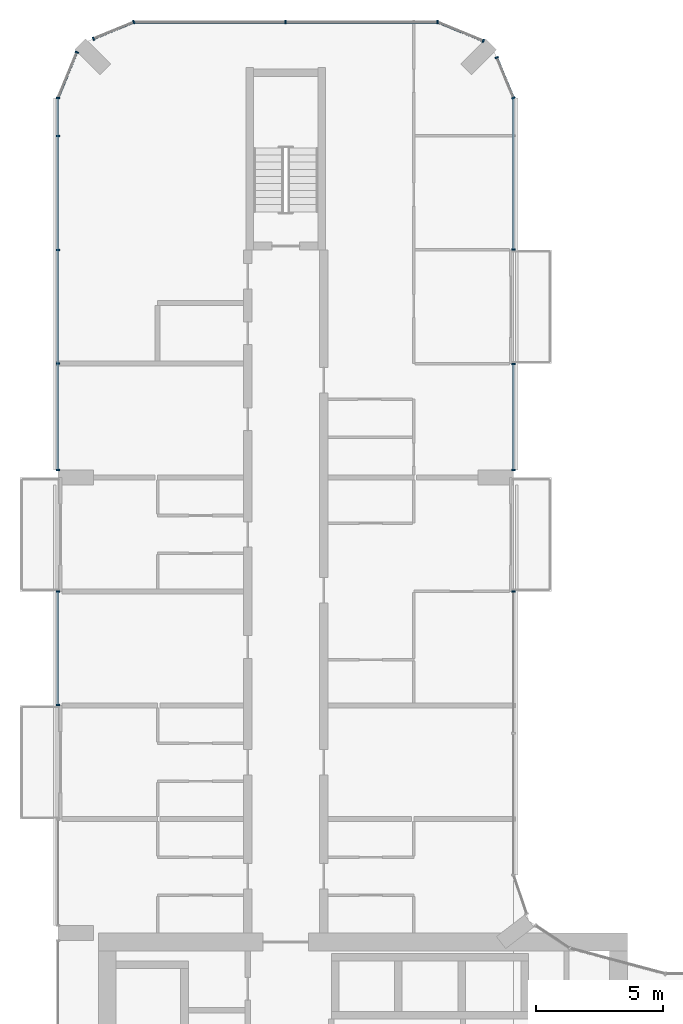
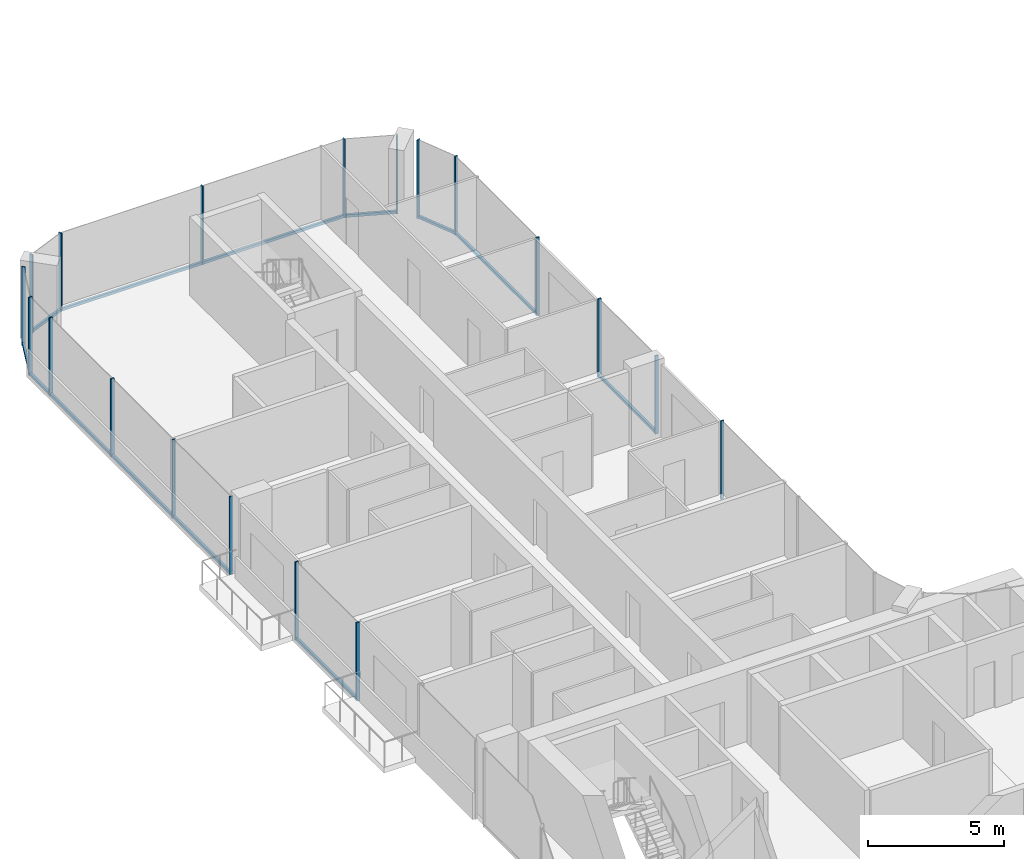
# One storey, part 6 of 23: 28 members, 10 elements without a shape of their own.
"""IFC4 building model written with IfcOpenShell, lengths in metres."""

from ifc_helpers import new_model, si_unit, direction, frame, origin, origin_2d, place, context, subcontext, project, spatial, rectangle, extrude, material, layer, layer_set, material_profile, profile_set, type_object, element, aggregate, save


model = new_model("IFC4")

# Units and contexts
model_context = context("Model", 3, precision=1e-05, world=origin(), true_north=direction((0.0, 1.0)))
body_context = subcontext(model_context, "Body", "Model", "MODEL_VIEW")
ifc_project = project(units=[si_unit("LENGTHUNIT", "METRE"), si_unit("AREAUNIT", "SQUARE_METRE"), si_unit("VOLUMEUNIT", "CUBIC_METRE"), si_unit("PLANEANGLEUNIT", "RADIAN"), si_unit("MASSUNIT", "GRAM", prefix="KILO")], contexts=[model_context])

# Site, building, storey
site_placement = place(None, origin())
site = spatial("IfcSite", under=ifc_project, at=site_placement, CompositionType="ELEMENT")
building_placement = place(site_placement, origin())
building = spatial("IfcBuilding", under=site, at=building_placement, Name="Plateau Cross Towers", CompositionType="ELEMENT")
storey_placement = place(building_placement, frame((0.0, 0.0, 88.800048828125)))
storey = spatial("IfcBuildingStorey", under=building, at=storey_placement, Name="L22", CompositionType="ELEMENT", Elevation=88.800048828125)

# Curtain wall, member
ifc_material_1 = material(Name="Dark low-iron glass", Category="glass")
ifc_layer = layer(ifc_material_1, 0.239990234375)
ifc_layer_set = layer_set([ifc_layer], Name="Dark low-iron glass")
curtain_wall_type = type_object("IfcCurtainWallType", Name="Curtain wall flush unitised CW-B", PredefinedType="NOTDEFINED", material=ifc_layer_set)
curtain_wall_1_placement = place(storey_placement, origin())
curtain_wall_1 = element("IfcCurtainWall", 1, at=curtain_wall_1_placement, inside=storey, type_object=curtain_wall_type, Name="ENV/A/L22/A180_203", PredefinedType="NOTDEFINED")
ifc_material_2 = material(Name="Black anodised aluminium", Category="aluminium")
ifc_material_profile_1 = material_profile(ifc_material_2, rectangle(XDim=0.06005859375, YDim=0.139892578125, at=origin_2d()), Name="MULLION 60x140")
ifc_profile_set_1 = profile_set([ifc_material_profile_1], Name="Black anodised aluminium")
member_type_1 = type_object("IfcMemberType", Name="Mullion 60x140 flush unitised", PredefinedType="MULLION", material=ifc_profile_set_1)
member_1_placement = place(storey_placement, frame((18.0, 31.489990234375, -0.25), z_axis=(0.0, 0.0, 1.0), x_axis=(0.0, 1.0, 0.0)))
member_1 = element("IfcMember", 2, at=member_1_placement, type_object=member_type_1, Name="CW-B mullion 3", PredefinedType="MULLION", context=body_context, shape_type="SweptSolid", body=[
    extrude(rectangle(XDim=0.06005859375, YDim=0.139892578125, at=origin_2d()), origin(), (0.0, 0.0, 1.0), 3.5),
])
aggregate(curtain_wall_1, [member_1])

# Curtain wall, members
curtain_wall_2_placement = place(storey_placement, origin())
curtain_wall_2 = element("IfcCurtainWall", 3, at=curtain_wall_2_placement, inside=storey, type_object=curtain_wall_type, Name="ENV/A/L22/A180_363", PredefinedType="NOTDEFINED")
member_2_placement = place(storey_placement, frame((18.0, 36.300048828125, -0.25), z_axis=(0.0, 0.0, 1.0), x_axis=(0.0, 1.0, 0.0)))
member_2 = element("IfcMember", 4, at=member_2_placement, type_object=member_type_1, Name="CW-B mullion 1", PredefinedType="MULLION", context=body_context, shape_type="SweptSolid", body=[
    extrude(rectangle(XDim=0.06005859375, YDim=0.139892578125, at=origin_2d()), origin(), (0.0, 0.0, 1.0), 3.5),
])
member_3_placement = place(storey_placement, frame((18.0, 40.489990234375, -0.25), z_axis=(0.0, 0.0, 1.0), x_axis=(0.0, 1.0, 0.0)))
member_3 = element("IfcMember", 5, at=member_3_placement, type_object=member_type_1, Name="CW-B mullion 2", PredefinedType="MULLION", context=body_context, shape_type="SweptSolid", body=[
    extrude(rectangle(XDim=0.06005859375, YDim=0.139892578125, at=origin_2d()), origin(), (0.0, 0.0, 1.0), 3.5),
])

# Curtain wall, member
curtain_wall_3_placement = place(storey_placement, origin())
curtain_wall_3 = element("IfcCurtainWall", 6, at=curtain_wall_3_placement, inside=storey, type_object=curtain_wall_type, Name="ENV/A/L22/A180_450", PredefinedType="NOTDEFINED")
member_4_placement = place(storey_placement, frame((18.0, 45.010009765625, -0.25), z_axis=(0.0, 0.0, 1.0), x_axis=(0.0, 1.0, 0.0)))
member_4 = element("IfcMember", 7, at=member_4_placement, type_object=member_type_1, Name="CW-B mullion 1", PredefinedType="MULLION", context=body_context, shape_type="SweptSolid", body=[
    extrude(rectangle(XDim=0.06005859375, YDim=0.139892578125, at=origin_2d()), origin(), (0.0, 0.0, 1.0), 3.5),
])

# Curtain wall, members
curtain_wall_4_placement = place(storey_placement, origin())
curtain_wall_4 = element("IfcCurtainWall", 8, at=curtain_wall_4_placement, inside=storey, type_object=curtain_wall_type, Name="ENV/A/L22/A180_510", PredefinedType="NOTDEFINED")
member_5_placement = place(storey_placement, frame((18.0, 51.0, -0.25), z_axis=(0.0, 0.0, 1.0), x_axis=(-0.382683612978, 0.923879457699, 0.0)))
member_5 = element("IfcMember", 9, at=member_5_placement, type_object=member_type_1, Name="CW-B mullion 1", PredefinedType="MULLION", context=body_context, shape_type="SweptSolid", body=[
    extrude(rectangle(XDim=0.06005859375, YDim=0.139892578125, at=origin_2d()), origin(), (0.0, 0.0, 1.0), 3.5),
])
member_6_placement = place(storey_placement, frame((17.338623046875, 52.5966796875, -0.25), z_axis=(0.0, 0.0, 1.0), x_axis=(-0.382683612978, 0.923879457699, 0.0)))
member_6 = element("IfcMember", 10, at=member_6_placement, type_object=member_type_1, Name="CW-B mullion 2", PredefinedType="MULLION", context=body_context, shape_type="SweptSolid", body=[
    extrude(rectangle(XDim=0.06005859375, YDim=0.139892578125, at=origin_2d()), origin(), (0.0, 0.0, 1.0), 3.5),
])

# Curtain wall, member
curtain_wall_5_placement = place(storey_placement, origin())
curtain_wall_5 = element("IfcCurtainWall", 11, at=curtain_wall_5_placement, inside=storey, type_object=curtain_wall_type, Name="ENV/A/L22/A168_533", PredefinedType="NOTDEFINED")
member_7_placement = place(storey_placement, frame((16.805908203125, 53.251953125, -0.25), z_axis=(0.0, 0.0, 1.0), x_axis=(-0.923879457699, 0.382683612978, 0.0)))
member_7 = element("IfcMember", 12, at=member_7_placement, type_object=member_type_1, Name="CW-B mullion 1", PredefinedType="MULLION", context=body_context, shape_type="SweptSolid", body=[
    extrude(rectangle(XDim=0.06005859375, YDim=0.139892578125, at=origin_2d()), origin(), (0.0, 0.0, 1.0), 3.5),
])

# Curtain wall, members
curtain_wall_6_placement = place(storey_placement, origin())
curtain_wall_6 = element("IfcCurtainWall", 13, at=curtain_wall_6_placement, inside=storey, type_object=curtain_wall_type, Name="ENV/A/L22/A150_540", PredefinedType="NOTDEFINED")
member_8_placement = place(storey_placement, frame((15.0, 54.0, -0.25), z_axis=(0.0, 0.0, 1.0), x_axis=(-1.0, 0.0, 0.0)))
member_8 = element("IfcMember", 14, at=member_8_placement, type_object=member_type_1, Name="CW-B mullion 1", PredefinedType="MULLION", context=body_context, shape_type="SweptSolid", body=[
    extrude(rectangle(XDim=0.06005859375, YDim=0.139892578125, at=origin_2d()), origin(), (0.0, 0.0, 1.0), 3.5),
])
member_9_placement = place(storey_placement, frame((9.0, 54.0, -0.25), z_axis=(0.0, 0.0, 1.0), x_axis=(-1.0, 0.0, 0.0)))
member_9 = element("IfcMember", 15, at=member_9_placement, type_object=member_type_1, Name="CW-B mullion 2", PredefinedType="MULLION", context=body_context, shape_type="SweptSolid", body=[
    extrude(rectangle(XDim=0.06005859375, YDim=0.139892578125, at=origin_2d()), origin(), (0.0, 0.0, 1.0), 3.5),
])

curtain_wall_7_placement = place(storey_placement, origin())
curtain_wall_7 = element("IfcCurtainWall", 16, at=curtain_wall_7_placement, inside=storey, type_object=curtain_wall_type, Name="ENV/A/L22/A30_540", PredefinedType="NOTDEFINED")
member_10_placement = place(storey_placement, frame((3.0, 54.0, -0.25), z_axis=(0.0, 0.0, 1.0), x_axis=(-0.923879457699, -0.382683612978, 0.0)))
member_10 = element("IfcMember", 17, at=member_10_placement, type_object=member_type_1, Name="CW-B mullion 1", PredefinedType="MULLION", context=body_context, shape_type="SweptSolid", body=[
    extrude(rectangle(XDim=0.06005859375, YDim=0.139892578125, at=origin_2d()), origin(), (0.0, 0.0, 1.0), 3.5),
])
member_11_placement = place(storey_placement, frame((1.4033203125, 53.338623046875, -0.25), z_axis=(0.0, 0.0, 1.0), x_axis=(-0.923879457699, -0.382683612978, 0.0)))
member_11 = element("IfcMember", 18, at=member_11_placement, type_object=member_type_1, Name="CW-B mullion 2", PredefinedType="MULLION", context=body_context, shape_type="SweptSolid", body=[
    extrude(rectangle(XDim=0.06005859375, YDim=0.139892578125, at=origin_2d()), origin(), (0.0, 0.0, 1.0), 3.5),
])

# Curtain wall, member
curtain_wall_8_placement = place(storey_placement, origin())
curtain_wall_8 = element("IfcCurtainWall", 19, at=curtain_wall_8_placement, inside=storey, type_object=curtain_wall_type, Name="ENV/A/L22/A7_528", PredefinedType="NOTDEFINED")
member_12_placement = place(storey_placement, frame((0.748046875, 52.805908203125, -0.25), z_axis=(0.0, 0.0, 1.0), x_axis=(-0.382683612978, -0.923879457699, 0.0)))
member_12 = element("IfcMember", 20, at=member_12_placement, type_object=member_type_1, Name="CW-B mullion 1", PredefinedType="MULLION", context=body_context, shape_type="SweptSolid", body=[
    extrude(rectangle(XDim=0.06005859375, YDim=0.139892578125, at=origin_2d()), origin(), (0.0, 0.0, 1.0), 3.5),
])

# Curtain wall, members
curtain_wall_9_placement = place(storey_placement, origin())
curtain_wall_9 = element("IfcCurtainWall", 21, at=curtain_wall_9_placement, inside=storey, type_object=curtain_wall_type, Name="ENV/A/L22/A0_510", PredefinedType="NOTDEFINED")
member_13_placement = place(storey_placement, frame((0.0, 51.0, -0.25), z_axis=(0.0, 0.0, 1.0), x_axis=(0.0, -1.0, 0.0)))
member_13 = element("IfcMember", 22, at=member_13_placement, type_object=member_type_1, Name="CW-B mullion 1", PredefinedType="MULLION", context=body_context, shape_type="SweptSolid", body=[
    extrude(rectangle(XDim=0.06005859375, YDim=0.139892578125, at=origin_2d()), origin(), (0.0, 0.0, 1.0), 3.5),
])
member_14_placement = place(storey_placement, frame((0.0, 49.5, -0.25), z_axis=(0.0, 0.0, 1.0), x_axis=(0.0, -1.0, 0.0)))
member_14 = element("IfcMember", 23, at=member_14_placement, type_object=member_type_1, Name="CW-B mullion 2", PredefinedType="MULLION", context=body_context, shape_type="SweptSolid", body=[
    extrude(rectangle(XDim=0.06005859375, YDim=0.139892578125, at=origin_2d()), origin(), (0.0, 0.0, 1.0), 3.5),
])
member_15_placement = place(storey_placement, frame((0.0, 45.0, -0.25), z_axis=(0.0, 0.0, 1.0), x_axis=(0.0, -1.0, 0.0)))
member_15 = element("IfcMember", 24, at=member_15_placement, type_object=member_type_1, Name="CW-B mullion 3", PredefinedType="MULLION", context=body_context, shape_type="SweptSolid", body=[
    extrude(rectangle(XDim=0.06005859375, YDim=0.139892578125, at=origin_2d()), origin(), (0.0, 0.0, 1.0), 3.5),
])
member_16_placement = place(storey_placement, frame((0.0, 40.5, -0.25), z_axis=(0.0, 0.0, 1.0), x_axis=(0.0, -1.0, 0.0)))
member_16 = element("IfcMember", 25, at=member_16_placement, type_object=member_type_1, Name="CW-B mullion 4", PredefinedType="MULLION", context=body_context, shape_type="SweptSolid", body=[
    extrude(rectangle(XDim=0.06005859375, YDim=0.139892578125, at=origin_2d()), origin(), (0.0, 0.0, 1.0), 3.5),
])
member_17_placement = place(storey_placement, frame((0.0, 36.300048828125, -0.25), z_axis=(0.0, 0.0, 1.0), x_axis=(0.0, -1.0, 0.0)))
member_17 = element("IfcMember", 26, at=member_17_placement, type_object=member_type_1, Name="CW-B mullion 5", PredefinedType="MULLION", context=body_context, shape_type="SweptSolid", body=[
    extrude(rectangle(XDim=0.06005859375, YDim=0.139892578125, at=origin_2d()), origin(), (0.0, 0.0, 1.0), 3.5),
])

curtain_wall_10_placement = place(storey_placement, origin())
curtain_wall_10 = element("IfcCurtainWall", 27, at=curtain_wall_10_placement, inside=storey, type_object=curtain_wall_type, Name="ENV/A/L22/A0_315", PredefinedType="NOTDEFINED")
member_18_placement = place(storey_placement, frame((0.0, 31.489990234375, -0.25), z_axis=(0.0, 0.0, 1.0), x_axis=(0.0, -1.0, 0.0)))
member_18 = element("IfcMember", 28, at=member_18_placement, type_object=member_type_1, Name="CW-B mullion 1", PredefinedType="MULLION", context=body_context, shape_type="SweptSolid", body=[
    extrude(rectangle(XDim=0.06005859375, YDim=0.139892578125, at=origin_2d()), origin(), (0.0, 0.0, 1.0), 3.5),
])
member_19_placement = place(storey_placement, frame((0.0, 27.010009765625, -0.25), z_axis=(0.0, 0.0, 1.0), x_axis=(0.0, -1.0, 0.0)))
member_19 = element("IfcMember", 29, at=member_19_placement, type_object=member_type_1, Name="CW-B mullion 2", PredefinedType="MULLION", context=body_context, shape_type="SweptSolid", body=[
    extrude(rectangle(XDim=0.06005859375, YDim=0.139892578125, at=origin_2d()), origin(), (0.0, 0.0, 1.0), 3.5),
])

# Member
ifc_material_profile_2 = material_profile(ifc_material_2, rectangle(XDim=0.10009765625, YDim=0.1201171875, at=origin_2d()), Name="TRANSOM 100x120")
ifc_profile_set_2 = profile_set([ifc_material_profile_2], Name="Black anodised aluminium")
member_type_2 = type_object("IfcMemberType", Name="Transom 100x120 flush unitised", PredefinedType="USERDEFINED", material=ifc_profile_set_2)
member_20_placement = place(storey_placement, frame((18.0, 36.300048828125, -0.18994140625), z_axis=(0.0, 1.0, 0.0), x_axis=(-1.0, 0.0, 0.0)))
member_20 = element("IfcMember", 30, at=member_20_placement, type_object=member_type_2, Name="CW-B transom", ObjectType="TRANSOM", PredefinedType="USERDEFINED", context=body_context, shape_type="SweptSolid", body=[
    extrude(rectangle(XDim=0.10009765625, YDim=0.1201171875, at=origin_2d()), origin(), (0.0, 0.0, 1.0), 4.18994140625),
])

aggregate(curtain_wall_2, [member_2, member_3, member_20])

member_21_placement = place(storey_placement, frame((18.0, 45.010009765625, -0.18994140625), z_axis=(0.0, 1.0, 0.0), x_axis=(-1.0, 0.0, 0.0)))
member_21 = element("IfcMember", 31, at=member_21_placement, type_object=member_type_2, Name="CW-B transom", ObjectType="TRANSOM", PredefinedType="USERDEFINED", context=body_context, shape_type="SweptSolid", body=[
    extrude(rectangle(XDim=0.10009765625, YDim=0.1201171875, at=origin_2d()), origin(), (0.0, 0.0, 1.0), 5.989990234375),
])

aggregate(curtain_wall_3, [member_4, member_21])

member_22_placement = place(storey_placement, frame((18.0, 51.0, -0.18994140625), z_axis=(-0.382688653628, 0.923877369776, 0.0), x_axis=(-0.923877369776, -0.382688653628, 0.0)))
member_22 = element("IfcMember", 32, at=member_22_placement, type_object=member_type_2, Name="CW-B transom", ObjectType="TRANSOM", PredefinedType="USERDEFINED", context=body_context, shape_type="SweptSolid", body=[
    extrude(rectangle(XDim=0.10009765625, YDim=0.1201171875, at=origin_2d()), origin(), (0.0, 0.0, 1.0), 1.728271484375),
])

aggregate(curtain_wall_4, [member_5, member_6, member_22])

member_23_placement = place(storey_placement, frame((16.805908203125, 53.251953125, -0.18994140625), z_axis=(-0.92387678234, 0.382690071798, 0.0), x_axis=(-0.382690071798, -0.92387678234, 0.0)))
member_23 = element("IfcMember", 33, at=member_23_placement, type_object=member_type_2, Name="CW-B transom", ObjectType="TRANSOM", PredefinedType="USERDEFINED", context=body_context, shape_type="SweptSolid", body=[
    extrude(rectangle(XDim=0.10009765625, YDim=0.1201171875, at=origin_2d()), origin(), (0.0, 0.0, 1.0), 1.95458984375),
])

aggregate(curtain_wall_5, [member_7, member_23])

member_24_placement = place(storey_placement, frame((15.0, 54.0, -0.18994140625), z_axis=(-1.0, 0.0, 0.0), x_axis=(0.0, -1.0, 0.0)))
member_24 = element("IfcMember", 34, at=member_24_placement, type_object=member_type_2, Name="CW-B transom", ObjectType="TRANSOM", PredefinedType="USERDEFINED", context=body_context, shape_type="SweptSolid", body=[
    extrude(rectangle(XDim=0.10009765625, YDim=0.1201171875, at=origin_2d()), origin(), (0.0, 0.0, 1.0), 12.0),
])

aggregate(curtain_wall_6, [member_8, member_9, member_24])

member_25_placement = place(storey_placement, frame((3.0, 54.0, -0.18994140625), z_axis=(-0.923877369776, -0.382688653628, 0.0), x_axis=(0.382688653628, -0.923877369776, 0.0)))
member_25 = element("IfcMember", 35, at=member_25_placement, type_object=member_type_2, Name="CW-B transom", ObjectType="TRANSOM", PredefinedType="USERDEFINED", context=body_context, shape_type="SweptSolid", body=[
    extrude(rectangle(XDim=0.10009765625, YDim=0.1201171875, at=origin_2d()), origin(), (0.0, 0.0, 1.0), 1.728271484375),
])

aggregate(curtain_wall_7, [member_10, member_11, member_25])

member_26_placement = place(storey_placement, frame((0.748046875, 52.805908203125, -0.18994140625), z_axis=(-0.382690071798, -0.92387678234, 0.0), x_axis=(0.92387678234, -0.382690071798, 0.0)))
member_26 = element("IfcMember", 36, at=member_26_placement, type_object=member_type_2, Name="CW-B transom", ObjectType="TRANSOM", PredefinedType="USERDEFINED", context=body_context, shape_type="SweptSolid", body=[
    extrude(rectangle(XDim=0.10009765625, YDim=0.1201171875, at=origin_2d()), origin(), (0.0, 0.0, 1.0), 1.95458984375),
])

aggregate(curtain_wall_8, [member_12, member_26])

member_27_placement = place(storey_placement, frame((0.0, 51.0, -0.18994140625), z_axis=(0.0, -1.0, 0.0), x_axis=(1.0, 0.0, 0.0)))
member_27 = element("IfcMember", 37, at=member_27_placement, type_object=member_type_2, Name="CW-B transom", ObjectType="TRANSOM", PredefinedType="USERDEFINED", context=body_context, shape_type="SweptSolid", body=[
    extrude(rectangle(XDim=0.10009765625, YDim=0.1201171875, at=origin_2d()), origin(), (0.0, 0.0, 1.0), 14.699951171875),
])

aggregate(curtain_wall_9, [member_13, member_14, member_15, member_16, member_17, member_27])

member_28_placement = place(storey_placement, frame((0.0, 31.489990234375, -0.18994140625), z_axis=(0.0, -1.0, 0.0), x_axis=(1.0, 0.0, 0.0)))
member_28 = element("IfcMember", 38, at=member_28_placement, type_object=member_type_2, Name="CW-B transom", ObjectType="TRANSOM", PredefinedType="USERDEFINED", context=body_context, shape_type="SweptSolid", body=[
    extrude(rectangle(XDim=0.10009765625, YDim=0.1201171875, at=origin_2d()), origin(), (0.0, 0.0, 1.0), 4.47998046875),
])

aggregate(curtain_wall_10, [member_18, member_19, member_28])

save(model, "model.ifc")
